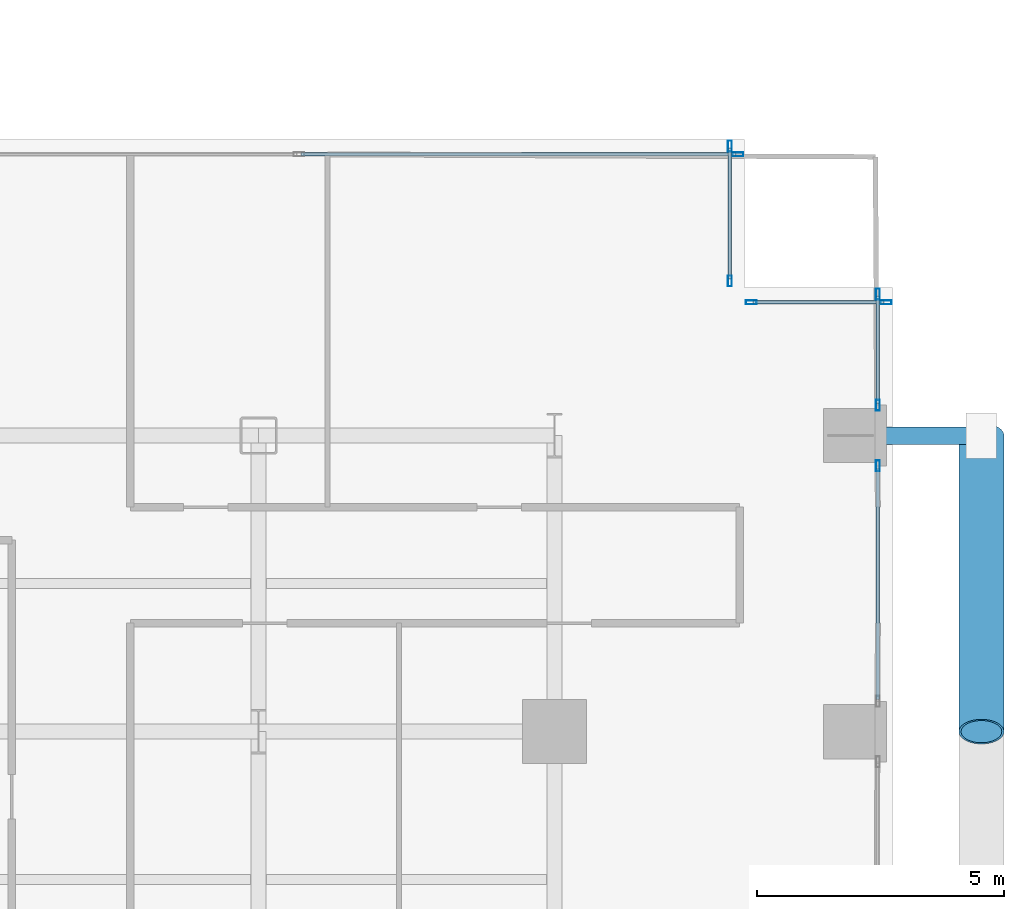
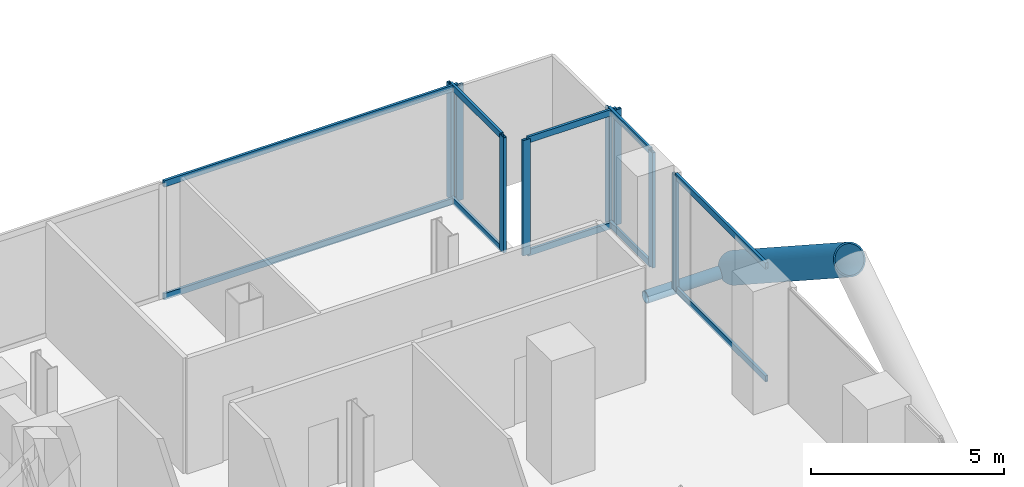
# One storey, part 12 of 27: 20 members, 5 elements without a shape of their own.
"""IFC4 building model written with IfcOpenShell, lengths in metres."""

from ifc_helpers import new_model, si_unit, direction, frame, origin, origin_2d, place, context, subcontext, project, spatial, hollow_rectangle, hollow_circle, extrude, material, layer, layer_set, material_profile, profile_set, type_object, element, aggregate, save


model = new_model("IFC4")

# Units and contexts
model_context = context("Model", 3, precision=1e-05, world=origin(), true_north=direction((0.0, 1.0)))
body_context = subcontext(model_context, "Body", "Model", "MODEL_VIEW")
ifc_project = project(units=[si_unit("LENGTHUNIT", "METRE"), si_unit("AREAUNIT", "SQUARE_METRE"), si_unit("VOLUMEUNIT", "CUBIC_METRE"), si_unit("PLANEANGLEUNIT", "RADIAN"), si_unit("MASSUNIT", "GRAM", prefix="KILO"), si_unit("THERMODYNAMICTEMPERATUREUNIT", "KELVIN"), si_unit("POWERUNIT", "WATT")], contexts=[model_context])

# Site, building, storey
site_placement = place(None, origin())
site = spatial("IfcSite", under=ifc_project, at=site_placement, CompositionType="ELEMENT")
building_placement = place(site_placement, origin())
building = spatial("IfcBuilding", under=site, at=building_placement, Name="Svarakhadi Broadcast Tower", CompositionType="ELEMENT")
storey_placement = place(building_placement, frame((0.0, 0.0, 40.199951171875)))
storey = spatial("IfcBuildingStorey", under=building, at=storey_placement, Name="L08", CompositionType="ELEMENT", Elevation=40.199951171875)

# Curtain wall, member
ifc_material_1 = material(Name="Anodised Bronze Aluminium AA 6063-T6", Category="aluminium")
ifc_layer = layer(ifc_material_1, 0.219970703125)
ifc_layer_set = layer_set([ifc_layer], Name="Anodised Bronze Aluminium AA 6063-T6")
curtain_wall_type = type_object("IfcCurtainWallType", Name="CW_Sys_02", PredefinedType="NOTDEFINED", material=ifc_layer_set)
curtain_wall_1_placement = place(storey_placement, origin())
curtain_wall_1 = element("IfcCurtainWall", 1, at=curtain_wall_1_placement, inside=storey, type_object=curtain_wall_type, Name="L08 Unitised Facade Curtain Wall 10", PredefinedType="NOTDEFINED")
ifc_material_profile_1 = material_profile(ifc_material_1, hollow_rectangle(XDim=0.0849609375, YDim=0.219970703125, WallThickness=0.006103515625, at=origin_2d()), Name="ALU MULLION 220x85x6")
ifc_profile_set_1 = profile_set([ifc_material_profile_1], Name="Anodised Bronze Aluminium AA 6063-T6")
member_type_1 = type_object("IfcMemberType", Name="CW_Sys_02_Mul", PredefinedType="MULLION", material=ifc_profile_set_1)
member_1_placement = place(storey_placement, frame((50.867431640625, 23.699951171875, 0.0), z_axis=(0.0, 0.0, 1.0), x_axis=(0.0, 1.0, 0.0)))
member_1 = element("IfcMember", 2, at=member_1_placement, type_object=member_type_1, Name="CW-02 mullion 4", PredefinedType="MULLION", context=body_context, shape_type="SweptSolid", body=[
    extrude(hollow_rectangle(XDim=0.0849609375, YDim=0.219970703125, WallThickness=0.006103515625, at=origin_2d()), origin(), (0.0, 0.0, 1.0), 3.650146484375),
])

# Curtain wall, members
curtain_wall_2_placement = place(storey_placement, origin())
curtain_wall_2 = element("IfcCurtainWall", 3, at=curtain_wall_2_placement, inside=storey, type_object=curtain_wall_type, Name="L08 Unitised Facade Curtain Wall 11", PredefinedType="NOTDEFINED")
member_2_placement = place(storey_placement, frame((50.699951171875, 23.867431640625, 0.0), z_axis=(0.0, 0.0, 1.0), x_axis=(1.0, 0.0, 0.0)))
member_2 = element("IfcMember", 4, at=member_2_placement, type_object=member_type_1, Name="CW-02 mullion 1", PredefinedType="MULLION", context=body_context, shape_type="SweptSolid", body=[
    extrude(hollow_rectangle(XDim=0.0849609375, YDim=0.219970703125, WallThickness=0.006103515625, at=origin_2d()), origin(), (0.0, 0.0, 1.0), 3.650146484375),
])
member_3_placement = place(storey_placement, frame((50.699951171875, 21.132568359375, 0.0), z_axis=(0.0, 0.0, 1.0), x_axis=(1.0, 0.0, 0.0)))
member_3 = element("IfcMember", 5, at=member_3_placement, type_object=member_type_1, Name="CW-02 mullion 2", PredefinedType="MULLION", context=body_context, shape_type="SweptSolid", body=[
    extrude(hollow_rectangle(XDim=0.0849609375, YDim=0.219970703125, WallThickness=0.006103515625, at=origin_2d()), origin(), (0.0, 0.0, 1.0), 3.650146484375),
])

curtain_wall_3_placement = place(storey_placement, origin())
curtain_wall_3 = element("IfcCurtainWall", 6, at=curtain_wall_3_placement, inside=storey, type_object=curtain_wall_type, Name="L08 Unitised Facade Curtain Wall 12", PredefinedType="NOTDEFINED")
member_4_placement = place(storey_placement, frame((51.132568359375, 20.699951171875, 0.0), z_axis=(0.0, 0.0, 1.0), x_axis=(0.0, 1.0, 0.0)))
member_4 = element("IfcMember", 7, at=member_4_placement, type_object=member_type_1, Name="CW-02 mullion 1", PredefinedType="MULLION", context=body_context, shape_type="SweptSolid", body=[
    extrude(hollow_rectangle(XDim=0.0849609375, YDim=0.219970703125, WallThickness=0.006103515625, at=origin_2d()), origin(), (0.0, 0.0, 1.0), 3.650146484375),
])
member_5_placement = place(storey_placement, frame((53.867431640625, 20.699951171875, 0.0), z_axis=(0.0, 0.0, 1.0), x_axis=(0.0, 1.0, 0.0)))
member_5 = element("IfcMember", 8, at=member_5_placement, type_object=member_type_1, Name="CW-02 mullion 2", PredefinedType="MULLION", context=body_context, shape_type="SweptSolid", body=[
    extrude(hollow_rectangle(XDim=0.0849609375, YDim=0.219970703125, WallThickness=0.006103515625, at=origin_2d()), origin(), (0.0, 0.0, 1.0), 3.650146484375),
])

curtain_wall_4_placement = place(storey_placement, origin())
curtain_wall_4 = element("IfcCurtainWall", 9, at=curtain_wall_4_placement, inside=storey, type_object=curtain_wall_type, Name="L08 Unitised Facade Curtain Wall 13 Bay 1", PredefinedType="NOTDEFINED")
member_6_placement = place(storey_placement, frame((53.699951171875, 20.867431640625, 0.0), z_axis=(0.0, 0.0, 1.0), x_axis=(1.0, 0.0, 0.0)))
member_6 = element("IfcMember", 10, at=member_6_placement, type_object=member_type_1, Name="CW-02 mullion 1", PredefinedType="MULLION", context=body_context, shape_type="SweptSolid", body=[
    extrude(hollow_rectangle(XDim=0.0849609375, YDim=0.219970703125, WallThickness=0.006103515625, at=origin_2d()), origin(), (0.0, 0.0, 1.0), 3.650146484375),
])
member_7_placement = place(storey_placement, frame((53.699951171875, 18.612548828125, 0.0), z_axis=(0.0, 0.0, 1.0), x_axis=(1.0, 0.0, 0.0)))
member_7 = element("IfcMember", 11, at=member_7_placement, type_object=member_type_1, Name="CW-02 mullion 2", PredefinedType="MULLION", context=body_context, shape_type="SweptSolid", body=[
    extrude(hollow_rectangle(XDim=0.0849609375, YDim=0.219970703125, WallThickness=0.006103515625, at=origin_2d()), origin(), (0.0, 0.0, 1.0), 3.650146484375),
])

# Curtain wall, member
curtain_wall_5_placement = place(storey_placement, origin())
curtain_wall_5 = element("IfcCurtainWall", 12, at=curtain_wall_5_placement, inside=storey, type_object=curtain_wall_type, Name="L08 Unitised Facade Curtain Wall 13 Bay 2", PredefinedType="NOTDEFINED")
member_8_placement = place(storey_placement, frame((53.699951171875, 17.387451171875, 0.0), z_axis=(0.0, 0.0, 1.0), x_axis=(1.0, 0.0, 0.0)))
member_8 = element("IfcMember", 13, at=member_8_placement, type_object=member_type_1, Name="CW-02 mullion 1", PredefinedType="MULLION", context=body_context, shape_type="SweptSolid", body=[
    extrude(hollow_rectangle(XDim=0.0849609375, YDim=0.219970703125, WallThickness=0.006103515625, at=origin_2d()), origin(), (0.0, 0.0, 1.0), 3.650146484375),
])

# Member
ifc_material_profile_2 = material_profile(ifc_material_1, hollow_rectangle(XDim=0.074951171875, YDim=0.199951171875, WallThickness=0.0048828125, at=origin_2d()), Name="ALU TRANSOM 200x75x5")
ifc_profile_set_2 = profile_set([ifc_material_profile_2], Name="Anodised Bronze Aluminium AA 6063-T6")
member_type_2 = type_object("IfcMemberType", Name="CW_Sys_02_Trn", PredefinedType="USERDEFINED", material=ifc_profile_set_2)
member_9_placement = place(storey_placement, frame((42.012451171875, 23.699951171875, 0.03759765625), z_axis=(1.0, 0.0, 0.0), x_axis=(0.0, 1.0, 0.0)))
member_9 = element("IfcMember", 14, at=member_9_placement, type_object=member_type_2, Name="CW-02 transom 3.1", ObjectType="TRANSOM", PredefinedType="USERDEFINED", context=body_context, shape_type="SweptSolid", body=[
    extrude(hollow_rectangle(XDim=0.074951171875, YDim=0.199951171875, WallThickness=0.0048828125, at=origin_2d()), origin(), (0.0, 0.0, 1.0), 8.8125),
])

member_10_placement = place(storey_placement, frame((42.012451171875, 23.699951171875, 3.612548828125), z_axis=(1.0, 0.0, 0.0), x_axis=(0.0, 1.0, 0.0)))
member_10 = element("IfcMember", 15, at=member_10_placement, type_object=member_type_2, Name="CW-02 transom 3.2", ObjectType="TRANSOM", PredefinedType="USERDEFINED", context=body_context, shape_type="SweptSolid", body=[
    extrude(hollow_rectangle(XDim=0.074951171875, YDim=0.199951171875, WallThickness=0.0048828125, at=origin_2d()), origin(), (0.0, 0.0, 1.0), 8.8125),
])

aggregate(curtain_wall_1, [member_1, member_9, member_10])

member_11_placement = place(storey_placement, frame((50.699951171875, 23.824951171875, 0.03759765625), z_axis=(0.0, -1.0, 0.0), x_axis=(1.0, 0.0, 0.0)))
member_11 = element("IfcMember", 16, at=member_11_placement, type_object=member_type_2, Name="CW-02 transom 1.1", ObjectType="TRANSOM", PredefinedType="USERDEFINED", context=body_context, shape_type="SweptSolid", body=[
    extrude(hollow_rectangle(XDim=0.074951171875, YDim=0.199951171875, WallThickness=0.0048828125, at=origin_2d()), origin(), (0.0, 0.0, 1.0), 2.64990234375),
])

member_12_placement = place(storey_placement, frame((50.699951171875, 23.824951171875, 3.612548828125), z_axis=(0.0, -1.0, 0.0), x_axis=(1.0, 0.0, 0.0)))
member_12 = element("IfcMember", 17, at=member_12_placement, type_object=member_type_2, Name="CW-02 transom 1.2", ObjectType="TRANSOM", PredefinedType="USERDEFINED", context=body_context, shape_type="SweptSolid", body=[
    extrude(hollow_rectangle(XDim=0.074951171875, YDim=0.199951171875, WallThickness=0.0048828125, at=origin_2d()), origin(), (0.0, 0.0, 1.0), 2.64990234375),
])

aggregate(curtain_wall_2, [member_2, member_3, member_11, member_12])

member_13_placement = place(storey_placement, frame((51.175048828125, 20.699951171875, 0.03759765625), z_axis=(1.0, 0.0, 0.0), x_axis=(0.0, 1.0, 0.0)))
member_13 = element("IfcMember", 18, at=member_13_placement, type_object=member_type_2, Name="CW-02 transom 1.1", ObjectType="TRANSOM", PredefinedType="USERDEFINED", context=body_context, shape_type="SweptSolid", body=[
    extrude(hollow_rectangle(XDim=0.074951171875, YDim=0.199951171875, WallThickness=0.0048828125, at=origin_2d()), origin(), (0.0, 0.0, 1.0), 2.64990234375),
])

member_14_placement = place(storey_placement, frame((51.175048828125, 20.699951171875, 3.612548828125), z_axis=(1.0, 0.0, 0.0), x_axis=(0.0, 1.0, 0.0)))
member_14 = element("IfcMember", 19, at=member_14_placement, type_object=member_type_2, Name="CW-02 transom 1.2", ObjectType="TRANSOM", PredefinedType="USERDEFINED", context=body_context, shape_type="SweptSolid", body=[
    extrude(hollow_rectangle(XDim=0.074951171875, YDim=0.199951171875, WallThickness=0.0048828125, at=origin_2d()), origin(), (0.0, 0.0, 1.0), 2.64990234375),
])

aggregate(curtain_wall_3, [member_4, member_5, member_13, member_14])

member_15_placement = place(storey_placement, frame((53.699951171875, 20.824951171875, 0.03759765625), z_axis=(0.0, -1.0, 0.0), x_axis=(1.0, 0.0, 0.0)))
member_15 = element("IfcMember", 20, at=member_15_placement, type_object=member_type_2, Name="CW-02 transom 1.1", ObjectType="TRANSOM", PredefinedType="USERDEFINED", context=body_context, shape_type="SweptSolid", body=[
    extrude(hollow_rectangle(XDim=0.074951171875, YDim=0.199951171875, WallThickness=0.0048828125, at=origin_2d()), origin(), (0.0, 0.0, 1.0), 2.169921875),
])

member_16_placement = place(storey_placement, frame((53.699951171875, 20.824951171875, 3.612548828125), z_axis=(0.0, -1.0, 0.0), x_axis=(1.0, 0.0, 0.0)))
member_16 = element("IfcMember", 21, at=member_16_placement, type_object=member_type_2, Name="CW-02 transom 1.2", ObjectType="TRANSOM", PredefinedType="USERDEFINED", context=body_context, shape_type="SweptSolid", body=[
    extrude(hollow_rectangle(XDim=0.074951171875, YDim=0.199951171875, WallThickness=0.0048828125, at=origin_2d()), origin(), (0.0, 0.0, 1.0), 2.169921875),
])

aggregate(curtain_wall_4, [member_6, member_7, member_15, member_16])

member_17_placement = place(storey_placement, frame((53.699951171875, 17.344970703125, 0.03759765625), z_axis=(0.0, -1.0, 0.0), x_axis=(1.0, 0.0, 0.0)))
member_17 = element("IfcMember", 22, at=member_17_placement, type_object=member_type_2, Name="CW-02 transom 1.1", ObjectType="TRANSOM", PredefinedType="USERDEFINED", context=body_context, shape_type="SweptSolid", body=[
    extrude(hollow_rectangle(XDim=0.074951171875, YDim=0.199951171875, WallThickness=0.0048828125, at=origin_2d()), origin(), (0.0, 0.0, 1.0), 4.68994140625),
])

member_18_placement = place(storey_placement, frame((53.699951171875, 17.344970703125, 3.612548828125), z_axis=(0.0, -1.0, 0.0), x_axis=(1.0, 0.0, 0.0)))
member_18 = element("IfcMember", 23, at=member_18_placement, type_object=member_type_2, Name="CW-02 transom 1.2", ObjectType="TRANSOM", PredefinedType="USERDEFINED", context=body_context, shape_type="SweptSolid", body=[
    extrude(hollow_rectangle(XDim=0.074951171875, YDim=0.199951171875, WallThickness=0.0048828125, at=origin_2d()), origin(), (0.0, 0.0, 1.0), 4.68994140625),
])

aggregate(curtain_wall_5, [member_8, member_17, member_18])

# Members
ifc_material_2 = material(Name="Steel S460ML (IS 2062 E450BR)", Category="steel")
ifc_material_profile_3 = material_profile(ifc_material_2, hollow_circle(Radius=0.45703125, WallThickness=0.044921875, at=origin_2d()), Name="CHS 914x45")
ifc_profile_set_3 = profile_set([ifc_material_profile_3], Name="Steel S460ML (IS 2062 E450BR)")
member_type_3 = type_object("IfcMemberType", Name="Exo_Brace_CHS914", PredefinedType="BRACE", material=ifc_profile_set_3)
member_19_placement = place(storey_placement, frame((55.800048828125, 18.0, -0.427734375), z_axis=(0.0, -0.838449851971, 0.544978757136), x_axis=(1.0, 0.0, 0.0)))
element("IfcMember", 24, at=member_19_placement, inside=storey, type_object=member_type_3, Name="L08 Exposed Bronze Exoskeleton Diagonal E11", PredefinedType="BRACE", context=body_context, shape_type="SweptSolid", body=[
    extrude(hollow_circle(Radius=0.45703125, WallThickness=0.044921875, at=origin_2d()), origin(), (0.0, 0.0, 1.0), 7.156005859375),
])
ifc_material_profile_4 = material_profile(ifc_material_2, hollow_circle(Radius=0.177734375, WallThickness=0.02001953125, at=origin_2d()), Name="CHS 355.6x20")
ifc_profile_set_4 = profile_set([ifc_material_profile_4], Name="Steel S460ML (IS 2062 E450BR)")
member_type_4 = type_object("IfcMemberType", Name="Exo_Radial_Strut_Z1", PredefinedType="STRUT", material=ifc_profile_set_4)
member_20_placement = place(storey_placement, frame((55.800048828125, 18.0, -0.427734375), z_axis=(-1.0, 0.0, 0.0), x_axis=(0.0, -1.0, 0.0)))
element("IfcMember", 25, at=member_20_placement, inside=storey, type_object=member_type_4, Name="L08 Exoskeleton Radial Tie Strut E10", PredefinedType="STRUT", context=body_context, shape_type="SweptSolid", body=[
    extrude(hollow_circle(Radius=0.177734375, WallThickness=0.02001953125, at=origin_2d()), origin(), (0.0, 0.0, 1.0), 2.650146484375),
])

save(model, "model.ifc")
